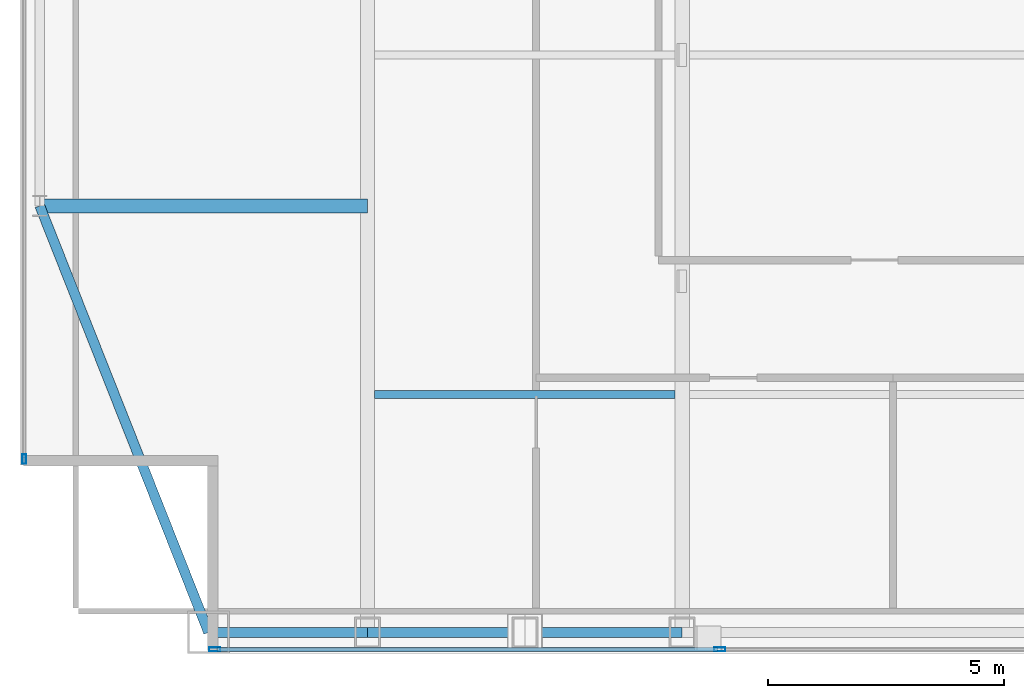
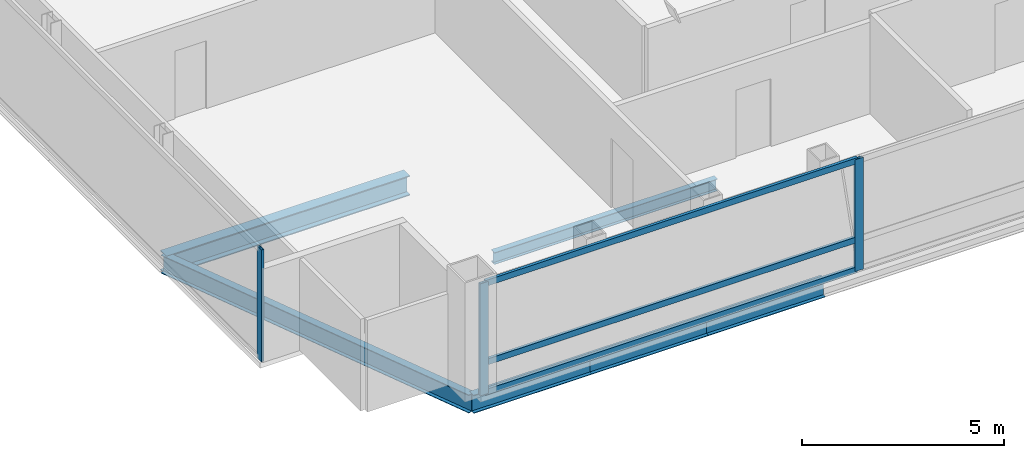
# One storey, part 4 of 24: 6 beams, 6 members, 2 elements without a shape of their own.
"""IFC4 building model written with IfcOpenShell, lengths in metres."""

from ifc_helpers import new_model, si_unit, direction, frame, origin, origin_2d, place, context, subcontext, project, spatial, hollow_rectangle, i_section, extrude, material, material_profile, profile_set, type_object, element, aggregate, save


model = new_model("IFC4")

# Units and contexts
model_context = context("Model", 3, precision=1e-05, world=origin(), true_north=direction((0.0, 1.0)))
body_context = subcontext(model_context, "Body", "Model", "MODEL_VIEW")
ifc_project = project(units=[si_unit("LENGTHUNIT", "METRE"), si_unit("AREAUNIT", "SQUARE_METRE"), si_unit("VOLUMEUNIT", "CUBIC_METRE"), si_unit("PLANEANGLEUNIT", "RADIAN"), si_unit("MASSUNIT", "GRAM", prefix="KILO")], contexts=[model_context])

# Site, building, storey
site_placement = place(None, origin())
site = spatial("IfcSite", under=ifc_project, at=site_placement, CompositionType="ELEMENT")
building_placement = place(site_placement, origin())
building = spatial("IfcBuilding", under=site, at=building_placement, Name="Khoronbel Lancet Exchange", CompositionType="ELEMENT")
storey_placement = place(building_placement, frame((0.0, 0.0, 347.0)))
storey = spatial("IfcBuildingStorey", under=building, at=storey_placement, Name="L90", CompositionType="ELEMENT", Elevation=347.0)

# Beams
ifc_material_1 = material(Name="Steel S355", Category="steel")
ifc_material_profile_1 = material_profile(ifc_material_1, i_section(OverallWidth=0.300048828125, OverallDepth=0.60009765625, WebThickness=0.015380859375, FlangeThickness=0.030029296875, at=origin_2d()), Name="HEB 600")
ifc_profile_set_1 = profile_set([ifc_material_profile_1], Name="Steel S355")
beam_type_1 = type_object("IfcBeamType", Name="BM-BG5", PredefinedType="BEAM", material=ifc_profile_set_1)
beam_1_placement = place(storey_placement, frame((11.27001953125, 19.199951171875, -0.4599609375), z_axis=(1.0, 0.0, 0.0), x_axis=(0.0, 1.0, 0.0)))
element("IfcBeam", 1, at=beam_1_placement, inside=storey, type_object=beam_type_1, Name="Level L90 west lens tie girder LG1W", PredefinedType="BEAM", context=body_context, shape_type="SweptSolid", body=[
    extrude(i_section(OverallWidth=0.300048828125, OverallDepth=0.60009765625, WebThickness=0.015380859375, FlangeThickness=0.030029296875, at=origin_2d()), origin(), (0.0, 0.0, 1.0), 6.955078125),
])
ifc_material_profile_2 = material_profile(ifc_material_1, i_section(OverallWidth=0.169921875, OverallDepth=0.360107421875, WebThickness=0.008056640625, FlangeThickness=0.0126953125, at=origin_2d()), Name="IPE 360")
ifc_profile_set_2 = profile_set([ifc_material_profile_2], Name="Steel S355")
beam_type_2 = type_object("IfcBeamType", Name="BM-BJ6", PredefinedType="JOIST", material=ifc_profile_set_2)
beam_2_placement = place(storey_placement, frame((18.375, 15.199951171875, -0.340087890625), z_axis=(1.0, 0.0, 0.0), x_axis=(0.0, 1.0, 0.0)))
element("IfcBeam", 2, at=beam_2_placement, inside=storey, type_object=beam_type_2, Name="Level L90 secondary composite joist J01", PredefinedType="JOIST", context=body_context, shape_type="SweptSolid", body=[
    extrude(i_section(OverallWidth=0.169921875, OverallDepth=0.360107421875, WebThickness=0.008056640625, FlangeThickness=0.0126953125, at=origin_2d()), origin(), (0.0, 0.0, 1.0), 6.375),
])
ifc_material_profile_3 = material_profile(ifc_material_1, i_section(OverallWidth=0.2099609375, OverallDepth=0.550048828125, WebThickness=0.010986328125, FlangeThickness=0.01708984375, at=origin_2d()), Name="IPE 550")
ifc_profile_set_3 = profile_set([ifc_material_profile_3], Name="Steel S355")
beam_type_3 = type_object("IfcBeamType", Name="BM-BSP3", PredefinedType="SPANDREL", material=ifc_profile_set_3)
beam_3_placement = place(storey_placement, frame((14.85009765625, 10.14990234375, -0.43505859375), z_axis=(1.0, 0.0, 0.0), x_axis=(0.0, 1.0, 0.0)))
element("IfcBeam", 3, at=beam_3_placement, inside=storey, type_object=beam_type_3, Name="Level L90 perimeter spandrel beam SP01", PredefinedType="SPANDREL", context=body_context, shape_type="SweptSolid", body=[
    extrude(i_section(OverallWidth=0.2099609375, OverallDepth=0.550048828125, WebThickness=0.010986328125, FlangeThickness=0.01708984375, at=origin_2d()), origin(), (0.0, 0.0, 1.0), 3.375),
])
for number, where, z_axis, x_axis, name in (
    (4, (18.22509765625, 10.14990234375, -0.43505859375), (1.0, 0.0, 0.0), (0.0, 1.0, 0.0), "Level L90 perimeter spandrel beam SP02"),
    (5, (21.5625, 10.14990234375, -0.43505859375), (1.0, 0.0, 0.0), (0.0, 1.0, 0.0), "Level L90 perimeter spandrel beam SP03"),
):
    element("IfcBeam", number, at=place(storey_placement, frame(where, z_axis=z_axis, x_axis=x_axis)), inside=storey, type_object=beam_type_3, Name=name, PredefinedType="SPANDREL", context=body_context, shape_type="SweptSolid", body=[
        extrude(i_section(OverallWidth=0.2099609375, OverallDepth=0.550048828125, WebThickness=0.010986328125, FlangeThickness=0.01708984375, at=origin_2d()), origin(), (0.0, 0.0, 1.0), 3.33740234375),
    ])
beam_4_placement = place(storey_placement, frame((11.27001953125, 19.199951171875, -0.43505859375), z_axis=(0.367850095026, -0.92988510451, 0.0), x_axis=(0.92988510451, 0.367850095026, 0.0)))
element("IfcBeam", 6, at=beam_4_placement, inside=storey, type_object=beam_type_3, Name="Level L90 perimeter spandrel beam SP19", PredefinedType="SPANDREL", context=body_context, shape_type="SweptSolid", body=[
    extrude(i_section(OverallWidth=0.2099609375, OverallDepth=0.550048828125, WebThickness=0.010986328125, FlangeThickness=0.01708984375, at=origin_2d()), origin(), (0.0, 0.0, 1.0), 9.732421875),
])

# Curtain wall, members
ifc_material_2 = material(Name="Low-E Solar Control Insulating Glass", Category="glass")
curtain_wall_type_1 = type_object("IfcCurtainWallType", Name="CW-3", PredefinedType="NOTDEFINED", material=ifc_material_2)
curtain_wall_1_placement = place(storey_placement, origin())
curtain_wall_1 = element("IfcCurtainWall", 7, at=curtain_wall_1_placement, inside=storey, type_object=curtain_wall_type_1, Name="Unitised curtain wall CW-L90-E12", PredefinedType="NOTDEFINED")
ifc_material_3 = material(Name="Bronze-Anodised Aluminium 6063-T6", Category="aluminium")
ifc_material_profile_4 = material_profile(ifc_material_3, hollow_rectangle(XDim=0.0849609375, YDim=0.239990234375, WallThickness=0.006103515625, at=origin_2d()), Name="ALU MULLION 85x240")
ifc_profile_set_4 = profile_set([ifc_material_profile_4], Name="Bronze-Anodised Aluminium 6063-T6")
member_type_1 = type_object("IfcMemberType", Name="MEM-CWM1", PredefinedType="MULLION", material=ifc_profile_set_4)
member_1_placement = place(storey_placement, frame((25.695068359375, 9.7900390625, 0.0), z_axis=(0.0, 0.0, 1.0), x_axis=(0.0, -1.0, 0.0)))
member_1 = element("IfcMember", 8, at=member_1_placement, type_object=member_type_1, Name="CW3 mullion 4", PredefinedType="MULLION", context=body_context, shape_type="SweptSolid", body=[
    extrude(hollow_rectangle(XDim=0.0849609375, YDim=0.239990234375, WallThickness=0.006103515625, at=origin_2d()), origin(), (0.0, 0.0, 1.0), 3.3798828125),
])
member_2_placement = place(storey_placement, frame((14.982421875, 9.7900390625, 0.0), z_axis=(0.0, 0.0, 1.0), x_axis=(0.0, -1.0, 0.0)))
member_2 = element("IfcMember", 9, at=member_2_placement, type_object=member_type_1, Name="CW3 mullion 5", PredefinedType="MULLION", context=body_context, shape_type="SweptSolid", body=[
    extrude(hollow_rectangle(XDim=0.0849609375, YDim=0.239990234375, WallThickness=0.006103515625, at=origin_2d()), origin(), (0.0, 0.0, 1.0), 3.3798828125),
])

# Curtain wall, member
curtain_wall_type_2 = type_object("IfcCurtainWallType", Name="CW-4", PredefinedType="NOTDEFINED", material=ifc_material_2)
curtain_wall_2_placement = place(storey_placement, origin())
curtain_wall_2 = element("IfcCurtainWall", 10, at=curtain_wall_2_placement, inside=storey, type_object=curtain_wall_type_2, Name="Unitised curtain wall CW-L90-E03", PredefinedType="NOTDEFINED")
ifc_material_profile_5 = material_profile(ifc_material_3, hollow_rectangle(XDim=0.074951171875, YDim=0.199951171875, WallThickness=0.0048828125, at=origin_2d()), Name="ALU MULLION 75x200")
ifc_profile_set_5 = profile_set([ifc_material_profile_5], Name="Bronze-Anodised Aluminium 6063-T6")
member_type_2 = type_object("IfcMemberType", Name="MEM-CWM2", PredefinedType="MULLION", material=ifc_profile_set_5)
member_3_placement = place(storey_placement, frame((10.93994140625, 13.827392578125, 0.0), z_axis=(0.0, 0.0, 1.0), x_axis=(-1.0, 0.0, 0.0)))
member_3 = element("IfcMember", 11, at=member_3_placement, type_object=member_type_2, Name="CW4 mullion 1", PredefinedType="MULLION", context=body_context, shape_type="SweptSolid", body=[
    extrude(hollow_rectangle(XDim=0.074951171875, YDim=0.199951171875, WallThickness=0.0048828125, at=origin_2d()), origin(), (0.0, 0.0, 1.0), 3.3798828125),
])
aggregate(curtain_wall_2, [member_3])

# Member
ifc_material_profile_6 = material_profile(ifc_material_3, hollow_rectangle(XDim=0.0849609375, YDim=0.179931640625, WallThickness=0.0048828125, at=origin_2d()), Name="ALU TRANSOM 85x180")
ifc_profile_set_6 = profile_set([ifc_material_profile_6], Name="Bronze-Anodised Aluminium 6063-T6")
member_type_3 = type_object("IfcMemberType", Name="MEM-CWT1", PredefinedType="USERDEFINED", material=ifc_profile_set_6)
member_4_placement = place(storey_placement, frame((25.652587890625, 9.7900390625, 0.04248046875), z_axis=(-1.0, 0.0, 0.0), x_axis=(0.0, -1.0, 0.0)))
member_4 = element("IfcMember", 12, at=member_4_placement, type_object=member_type_3, Name="CW3 transom 4.1", ObjectType="TRANSOM", PredefinedType="USERDEFINED", context=body_context, shape_type="SweptSolid", body=[
    extrude(hollow_rectangle(XDim=0.0849609375, YDim=0.179931640625, WallThickness=0.0048828125, at=origin_2d()), origin(), (0.0, 0.0, 1.0), 10.627685546875),
])

member_5_placement = place(storey_placement, frame((25.652587890625, 9.7900390625, 0.949951171875), z_axis=(-1.0, 0.0, 0.0), x_axis=(0.0, -1.0, 0.0)))
member_5 = element("IfcMember", 13, at=member_5_placement, type_object=member_type_3, Name="CW3 transom 4.2", ObjectType="TRANSOM", PredefinedType="USERDEFINED", context=body_context, shape_type="SweptSolid", body=[
    extrude(hollow_rectangle(XDim=0.0849609375, YDim=0.179931640625, WallThickness=0.0048828125, at=origin_2d()), origin(), (0.0, 0.0, 1.0), 10.627685546875),
])

member_6_placement = place(storey_placement, frame((25.652587890625, 9.7900390625, 3.33740234375), z_axis=(-1.0, 0.0, 0.0), x_axis=(0.0, -1.0, 0.0)))
member_6 = element("IfcMember", 14, at=member_6_placement, type_object=member_type_3, Name="CW3 transom 4.3", ObjectType="TRANSOM", PredefinedType="USERDEFINED", context=body_context, shape_type="SweptSolid", body=[
    extrude(hollow_rectangle(XDim=0.0849609375, YDim=0.179931640625, WallThickness=0.0048828125, at=origin_2d()), origin(), (0.0, 0.0, 1.0), 10.627685546875),
])

aggregate(curtain_wall_1, [member_1, member_2, member_4, member_5, member_6])

save(model, "model.ifc")
